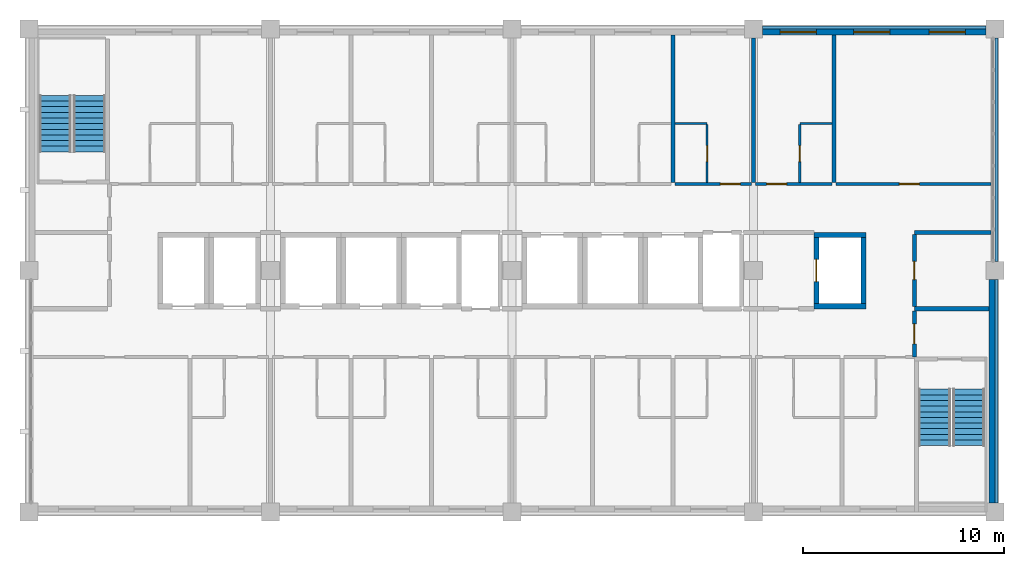
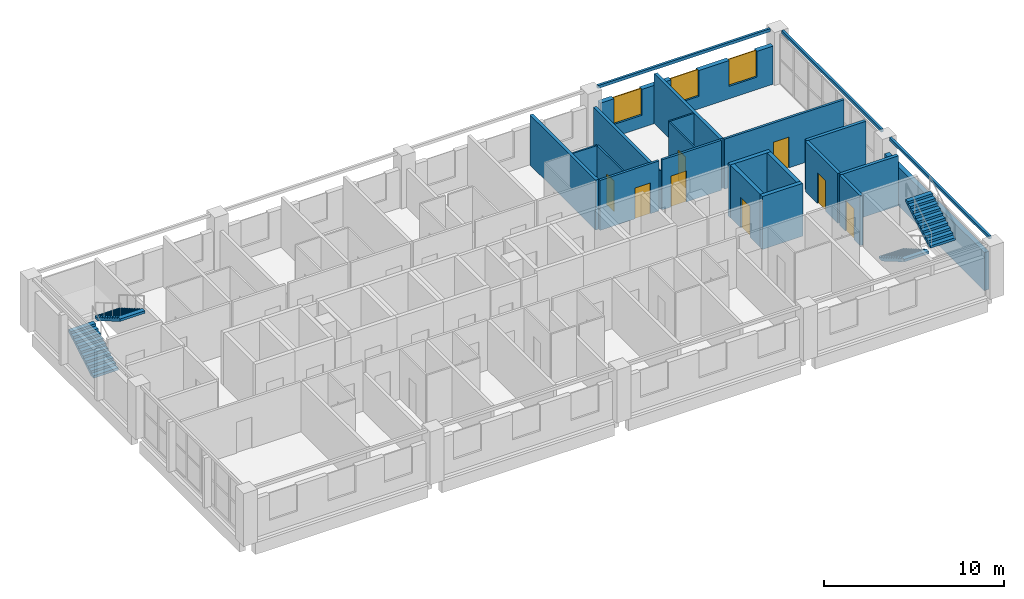
# One storey, part 10 of 11: 23 walls, 8 doors, 4 stair flights, 3 windows, 11 openings, 2 elements without a shape of their own.
"""IFC4 building model written with IfcOpenShell, lengths in metres."""

from ifc_helpers import new_model, si_unit, direction, frame, frame_2d, origin, place, context, subcontext, project, spatial, polyline, rectangle, outline, extrude, material, layer, layer_set, type_object, element, fill, aggregate, save


model = new_model("IFC4")

# Units and contexts
model_context = context("Model", 3, precision=1e-05, world=origin(), true_north=direction((0.0, 1.0)))
body_context = subcontext(model_context, "Body", "Model", "MODEL_VIEW")
ifc_project = project(units=[si_unit("LENGTHUNIT", "METRE"), si_unit("AREAUNIT", "SQUARE_METRE"), si_unit("VOLUMEUNIT", "CUBIC_METRE"), si_unit("PLANEANGLEUNIT", "RADIAN"), si_unit("MASSUNIT", "GRAM", prefix="KILO")], contexts=[model_context])

# Site, building, storey
site_placement = place(None, origin())
site = spatial("IfcSite", under=ifc_project, at=site_placement, CompositionType="ELEMENT")
building_placement = place(site_placement, origin())
building = spatial("IfcBuilding", under=site, at=building_placement, Name="Lilac Gate Convention Centre", CompositionType="ELEMENT")
storey_placement = place(building_placement, frame((0.0, 0.0, 28.199951171875)))
storey = spatial("IfcBuildingStorey", under=building, at=storey_placement, Name="L06", CompositionType="ELEMENT", Elevation=28.199951171875)

# Walls
ifc_material_1 = material(Name="Concrete C60", Category="concrete")
ifc_layer_1 = layer(ifc_material_1, 0.25)
ifc_layer_set_1 = layer_set([ifc_layer_1], Name="Concrete C60")
wall_type_1 = type_object("IfcWallType", Name="Core wall 250 C60", PredefinedType="SHEAR", material=ifc_layer_set_1)
for number, where, z_axis, x_axis, name in (
    (1, (81.0, 232.22509765625, 0.0), (0.0, 0.0, 1.0), (1.0, 0.0, 0.0), "CRW3 core wall TC L06 33"),
    (2, (81.0, 235.77490234375, 0.0), (0.0, 0.0, 1.0), (1.0, 0.0, 0.0), "CRW3 core wall TC L06 34"),
):
    element("IfcWall", number, at=place(storey_placement, frame(where, z_axis=z_axis, x_axis=x_axis)), inside=storey, type_object=wall_type_1, Name=name, PredefinedType="SHEAR", context=body_context, shape_type="SweptSolid", body=[
        extrude(rectangle(XDim=2.60009765625, YDim=0.25, at=frame_2d((1.300048828125, 0.0))), origin(), (0.0, 0.0, 1.0), 3.60009765625),
    ])

# Wall, opening, door
wall_1_placement = place(storey_placement, frame((81.125, 232.35009765625, 0.0), z_axis=(0.0, 0.0, 1.0), x_axis=(0.0, 1.0, 0.0)))
wall_1 = element("IfcWall", 3, at=wall_1_placement, inside=storey, type_object=wall_type_1, Name="CRW3 core wall TC L06 35", PredefinedType="SHEAR", context=body_context, shape_type="SweptSolid", body=[
    extrude(rectangle(XDim=3.2998046875, YDim=0.25, at=frame_2d((1.64990234375, 0.0))), origin(), (0.0, 0.0, 1.0), 3.60009765625),
])
opening_1_placement = place(wall_1_placement, frame((1.10009765625, 0.0, 0.0)))
opening_1 = element("IfcOpeningElement", 4, at=opening_1_placement, cuts=wall_1, Name="Opening T04-054", PredefinedType="OPENING", context=body_context, shape_type="SweptSolid", body=[
    extrude(rectangle(XDim=1.10009765625, YDim=2.10009765625, at=frame_2d((0.550048828125, 1.050048828125))), frame((0.0, 0.135009765625, 0.0), z_axis=(0.0, -1.0, 0.0), x_axis=(1.0, 0.0, 0.0)), (0.0, 0.0, 1.0), 0.27001953125),
])
ifc_material_2 = material(Name="Stainless steel 304", Category="steel")
door_type_1 = type_object("IfcDoorType", Name="Lift landing door 1100", OperationType="SLIDING_TO_LEFT", PredefinedType="DOOR", material=ifc_material_2)
door_1_placement = place(opening_1_placement, origin())
door_1 = element("IfcDoor", 5, at=door_1_placement, inside=storey, type_object=door_type_1, Name="Lift landing door TF1 L06", OperationType="SLIDING_TO_LEFT", OverallHeight=2.10009765625, OverallWidth=1.10009765625, PredefinedType="DOOR", context=body_context, shape_type="SweptSolid", body=[
    extrude(rectangle(XDim=1.10009765625, YDim=2.10009765625, at=frame_2d((0.550048828125, 1.050048828125))), frame((0.0, 0.02490234375, 0.0), z_axis=(0.0, -1.0, 0.0), x_axis=(1.0, 0.0, 0.0)), (0.0, 0.0, 1.0), 0.050048828125),
])
fill(opening_1, door_1)

# Wall
wall_2_placement = place(storey_placement, frame((83.47509765625, 232.35009765625, 0.0), z_axis=(0.0, 0.0, 1.0), x_axis=(0.0, 1.0, 0.0)))
element("IfcWall", 6, at=wall_2_placement, inside=storey, type_object=wall_type_1, Name="CRW3 core wall TC L06 36", PredefinedType="SHEAR", context=body_context, shape_type="SweptSolid", body=[
    extrude(rectangle(XDim=3.2998046875, YDim=0.25, at=frame_2d((1.64990234375, 0.0))), origin(), (0.0, 0.0, 1.0), 3.60009765625),
])

# Wall, opening, door
ifc_material_3 = material(Name="Gypsum board on steel stud", Category="steel")
ifc_layer_2 = layer(ifc_material_3, 0.14990234375)
ifc_layer_set_2 = layer_set([ifc_layer_2], Name="Gypsum board on steel stud")
wall_type_2 = type_object("IfcWallType", Name="Corridor wall 150", PredefinedType="PARTITIONING", material=ifc_layer_set_2)
wall_3_placement = place(storey_placement, frame((74.10009765625, 238.300048828125, 0.0), z_axis=(0.0, 0.0, 1.0), x_axis=(1.0, 0.0, 0.0)))
wall_3 = element("IfcWall", 7, at=wall_3_placement, inside=storey, type_object=wall_type_2, Name="Corridor wall 150 front 0618", PredefinedType="PARTITIONING", context=body_context, shape_type="SweptSolid", body=[
    extrude(rectangle(XDim=3.7998046875, YDim=0.14990234375, at=frame_2d((1.89990234375, 0.0))), origin(), (0.0, 0.0, 1.0), 3.400146484375),
])
opening_2_placement = place(wall_3_placement, frame((2.25, 0.0, 0.0)))
opening_2 = element("IfcOpeningElement", 8, at=opening_2_placement, cuts=wall_3, Name="Opening T04-041", PredefinedType="OPENING", context=body_context, shape_type="SweptSolid", body=[
    extrude(rectangle(XDim=1.0, YDim=2.10009765625, at=frame_2d((0.5, 1.050048828125))), frame((0.0, 0.0849609375, 0.0), z_axis=(0.0, -1.0, 0.0), x_axis=(1.0, 0.0, 0.0)), (0.0, 0.0, 1.0), 0.169921875),
])
ifc_material_4 = material(Name="Timber", Category="wood")
door_type_2 = type_object("IfcDoorType", Name="Guest room entrance door 1000", OperationType="SINGLE_SWING_LEFT", PredefinedType="DOOR", material=ifc_material_4)
door_2_placement = place(opening_2_placement, origin())
door_2 = element("IfcDoor", 9, at=door_2_placement, inside=storey, type_object=door_type_2, Name="Guest room door 0618", OperationType="SINGLE_SWING_LEFT", OverallHeight=2.10009765625, OverallWidth=1.0, PredefinedType="DOOR", context=body_context, shape_type="SweptSolid", body=[
    extrude(rectangle(XDim=1.0, YDim=2.10009765625, at=frame_2d((0.5, 1.050048828125))), frame((0.0, 0.02490234375, 0.0), z_axis=(0.0, -1.0, 0.0), x_axis=(1.0, 0.0, 0.0)), (0.0, 0.0, 1.0), 0.050048828125),
])
fill(opening_2, door_2)

wall_4_placement = place(storey_placement, frame((78.10009765625, 238.300048828125, 0.0), z_axis=(0.0, 0.0, 1.0), x_axis=(1.0, 0.0, 0.0)))
wall_4 = element("IfcWall", 10, at=wall_4_placement, inside=storey, type_object=wall_type_2, Name="Corridor wall 150 front 0619", PredefinedType="PARTITIONING", context=body_context, shape_type="SweptSolid", body=[
    extrude(rectangle(XDim=3.7998046875, YDim=0.14990234375, at=frame_2d((1.89990234375, 0.0))), origin(), (0.0, 0.0, 1.0), 3.400146484375),
])
opening_3_placement = place(wall_4_placement, frame((0.550048828125, 0.0, 0.0)))
opening_3 = element("IfcOpeningElement", 11, at=opening_3_placement, cuts=wall_4, Name="Opening T04-043", PredefinedType="OPENING", context=body_context, shape_type="SweptSolid", body=[
    extrude(rectangle(XDim=1.0, YDim=2.10009765625, at=frame_2d((0.5, 1.050048828125))), frame((0.0, 0.0849609375, 0.0), z_axis=(0.0, -1.0, 0.0), x_axis=(1.0, 0.0, 0.0)), (0.0, 0.0, 1.0), 0.169921875),
])
door_3_placement = place(opening_3_placement, origin())
door_3 = element("IfcDoor", 12, at=door_3_placement, inside=storey, type_object=door_type_2, Name="Guest room door 0619", OperationType="SINGLE_SWING_LEFT", OverallHeight=2.10009765625, OverallWidth=1.0, PredefinedType="DOOR", context=body_context, shape_type="SweptSolid", body=[
    extrude(rectangle(XDim=1.0, YDim=2.10009765625, at=frame_2d((0.5, 1.050048828125))), frame((0.0, 0.02490234375, 0.0), z_axis=(0.0, -1.0, 0.0), x_axis=(1.0, 0.0, 0.0)), (0.0, 0.0, 1.0), 0.050048828125),
])
fill(opening_3, door_3)

wall_5_placement = place(storey_placement, frame((82.10009765625, 238.300048828125, 0.0), z_axis=(0.0, 0.0, 1.0), x_axis=(1.0, 0.0, 0.0)))
wall_5 = element("IfcWall", 13, at=wall_5_placement, inside=storey, type_object=wall_type_2, Name="Corridor wall 150 front 0620", PredefinedType="PARTITIONING", context=body_context, shape_type="SweptSolid", body=[
    extrude(rectangle(XDim=7.69970703125, YDim=0.14990234375, at=frame_2d((3.849853515625, 0.0))), origin(), (0.0, 0.0, 1.0), 3.400146484375),
])
opening_4_placement = place(wall_5_placement, frame((3.14990234375, 0.0, 0.0)))
opening_4 = element("IfcOpeningElement", 14, at=opening_4_placement, cuts=wall_5, Name="Opening T04-045", PredefinedType="OPENING", context=body_context, shape_type="SweptSolid", body=[
    extrude(rectangle(XDim=1.0, YDim=2.10009765625, at=frame_2d((0.5, 1.050048828125))), frame((0.0, 0.0849609375, 0.0), z_axis=(0.0, -1.0, 0.0), x_axis=(1.0, 0.0, 0.0)), (0.0, 0.0, 1.0), 0.169921875),
])
door_type_3 = type_object("IfcDoorType", Name="Room door 1000", OperationType="SINGLE_SWING_LEFT", PredefinedType="DOOR", material=ifc_material_4)
door_4_placement = place(opening_4_placement, origin())
door_4 = element("IfcDoor", 15, at=door_4_placement, inside=storey, type_object=door_type_3, Name="Business Centre door", OperationType="SINGLE_SWING_LEFT", OverallHeight=2.10009765625, OverallWidth=1.0, PredefinedType="DOOR", context=body_context, shape_type="SweptSolid", body=[
    extrude(rectangle(XDim=1.0, YDim=2.10009765625, at=frame_2d((0.5, 1.050048828125))), frame((0.0, 0.02490234375, 0.0), z_axis=(0.0, -1.0, 0.0), x_axis=(1.0, 0.0, 0.0)), (0.0, 0.0, 1.0), 0.050048828125),
])
fill(opening_4, door_4)

# Wall
ifc_layer_3 = layer(ifc_material_3, 0.10009765625)
ifc_layer_set_3 = layer_set([ifc_layer_3], Name="Gypsum board on steel stud")
wall_type_3 = type_object("IfcWallType", Name="En-suite wall 100", PredefinedType="PARTITIONING", material=ifc_layer_set_3)
wall_6_placement = place(storey_placement, frame((74.10009765625, 241.300048828125, 0.0), z_axis=(0.0, 0.0, 1.0), x_axis=(1.0, 0.0, 0.0)))
element("IfcWall", 16, at=wall_6_placement, inside=storey, type_object=wall_type_3, Name="En-suite wall 100 bath 0618", PredefinedType="PARTITIONING", context=body_context, shape_type="SweptSolid", body=[
    extrude(rectangle(XDim=1.599853515625, YDim=0.10009765625, at=frame_2d((0.7998046875, 0.0))), origin(), (0.0, 0.0, 1.0), 3.400146484375),
])

# Wall, opening, door
wall_7_placement = place(storey_placement, frame((75.699951171875, 241.25, 0.0), z_axis=(0.0, 0.0, 1.0), x_axis=(0.0, -1.0, 0.0)))
wall_7 = element("IfcWall", 17, at=wall_7_placement, inside=storey, type_object=wall_type_3, Name="En-suite wall 100 bath side 0618", PredefinedType="PARTITIONING", context=body_context, shape_type="SweptSolid", body=[
    extrude(rectangle(XDim=2.875, YDim=0.10009765625, at=frame_2d((1.4375, 0.0))), origin(), (0.0, 0.0, 1.0), 3.400146484375),
])
opening_5_placement = place(wall_7_placement, frame((1.03759765625, 0.0, 0.0)))
opening_5 = element("IfcOpeningElement", 18, at=opening_5_placement, cuts=wall_7, Name="Opening T04-042", PredefinedType="OPENING", context=body_context, shape_type="SweptSolid", body=[
    extrude(rectangle(XDim=0.800048828125, YDim=2.10009765625, at=frame_2d((0.39990234375, 1.050048828125))), frame((0.0, 0.06005859375, 0.0), z_axis=(0.0, -1.0, 0.0), x_axis=(1.0, 0.0, 0.0)), (0.0, 0.0, 1.0), 0.1201171875),
])
door_type_4 = type_object("IfcDoorType", Name="En-suite door 800", OperationType="SINGLE_SWING_LEFT", PredefinedType="DOOR", material=ifc_material_4)
door_5_placement = place(opening_5_placement, origin())
door_5 = element("IfcDoor", 19, at=door_5_placement, inside=storey, type_object=door_type_4, Name="En-suite door 0618", OperationType="SINGLE_SWING_RIGHT", OverallHeight=2.10009765625, OverallWidth=0.800048828125, PredefinedType="DOOR", context=body_context, shape_type="SweptSolid", body=[
    extrude(rectangle(XDim=0.800048828125, YDim=2.10009765625, at=frame_2d((0.39990234375, 1.050048828125))), frame((0.0, 0.02490234375, 0.0), z_axis=(0.0, -1.0, 0.0), x_axis=(1.0, 0.0, 0.0)), (0.0, 0.0, 1.0), 0.050048828125),
])
fill(opening_5, door_5)

# Wall
wall_8_placement = place(storey_placement, frame((80.300048828125, 241.300048828125, 0.0), z_axis=(0.0, 0.0, 1.0), x_axis=(1.0, 0.0, 0.0)))
element("IfcWall", 20, at=wall_8_placement, inside=storey, type_object=wall_type_3, Name="En-suite wall 100 bath 0619", PredefinedType="PARTITIONING", context=body_context, shape_type="SweptSolid", body=[
    extrude(rectangle(XDim=1.599853515625, YDim=0.10009765625, at=frame_2d((0.7998046875, 0.0))), origin(), (0.0, 0.0, 1.0), 3.400146484375),
])

# Wall, opening, door
wall_9_placement = place(storey_placement, frame((80.300048828125, 238.375, 0.0), z_axis=(0.0, 0.0, 1.0), x_axis=(0.0, 1.0, 0.0)))
wall_9 = element("IfcWall", 21, at=wall_9_placement, inside=storey, type_object=wall_type_3, Name="En-suite wall 100 bath side 0619", PredefinedType="PARTITIONING", context=body_context, shape_type="SweptSolid", body=[
    extrude(rectangle(XDim=2.875, YDim=0.10009765625, at=frame_2d((1.4375, 0.0))), origin(), (0.0, 0.0, 1.0), 3.400146484375),
])
opening_6_placement = place(wall_9_placement, frame((1.03759765625, 0.0, 0.0)))
opening_6 = element("IfcOpeningElement", 22, at=opening_6_placement, cuts=wall_9, Name="Opening T04-044", PredefinedType="OPENING", context=body_context, shape_type="SweptSolid", body=[
    extrude(rectangle(XDim=0.800048828125, YDim=2.10009765625, at=frame_2d((0.39990234375, 1.050048828125))), frame((0.0, 0.06005859375, 0.0), z_axis=(0.0, -1.0, 0.0), x_axis=(1.0, 0.0, 0.0)), (0.0, 0.0, 1.0), 0.1201171875),
])
door_6_placement = place(opening_6_placement, origin())
door_6 = element("IfcDoor", 23, at=door_6_placement, inside=storey, type_object=door_type_4, Name="En-suite door 0619", OperationType="SINGLE_SWING_LEFT", OverallHeight=2.10009765625, OverallWidth=0.800048828125, PredefinedType="DOOR", context=body_context, shape_type="SweptSolid", body=[
    extrude(rectangle(XDim=0.800048828125, YDim=2.10009765625, at=frame_2d((0.39990234375, 1.050048828125))), frame((0.0, 0.02490234375, 0.0), z_axis=(0.0, -1.0, 0.0), x_axis=(1.0, 0.0, 0.0)), (0.0, 0.0, 1.0), 0.050048828125),
])
fill(opening_6, door_6)

# Walls
ifc_layer_4 = layer(ifc_material_3, 0.199951171875)
ifc_layer_set_4 = layer_set([ifc_layer_4], Name="Gypsum board on steel stud")
wall_type_4 = type_object("IfcWallType", Name="Guest room party wall 200", PredefinedType="PARTITIONING", material=ifc_layer_set_4)
wall_10_placement = place(storey_placement, frame((74.0, 245.7001953125, 0.0), z_axis=(0.0, 0.0, 1.0), x_axis=(0.0, -1.0, 0.0)))
element("IfcWall", 24, at=wall_10_placement, inside=storey, type_object=wall_type_4, Name="Guest room party wall 200 party 74.0", PredefinedType="PARTITIONING", context=body_context, shape_type="SweptSolid", body=[
    extrude(rectangle(XDim=7.3251953125, YDim=0.199951171875, at=frame_2d((3.66259765625, 0.0))), origin(), (0.0, 0.0, 1.0), 3.400146484375),
])
wall_11_placement = place(storey_placement, frame((78.0, 245.550048828125, 0.0), z_axis=(0.0, 0.0, 1.0), x_axis=(0.0, -1.0, 0.0)))
element("IfcWall", 25, at=wall_11_placement, inside=storey, type_object=wall_type_4, Name="Guest room party wall 200 party 78.0", PredefinedType="PARTITIONING", context=body_context, shape_type="SweptSolid", body=[
    extrude(rectangle(XDim=7.175048828125, YDim=0.199951171875, at=frame_2d((3.58740234375, 0.0))), origin(), (0.0, 0.0, 1.0), 2.60009765625),
])
wall_12_placement = place(storey_placement, frame((82.0, 245.7001953125, 0.0), z_axis=(0.0, 0.0, 1.0), x_axis=(0.0, -1.0, 0.0)))
element("IfcWall", 26, at=wall_12_placement, inside=storey, type_object=wall_type_4, Name="Guest room party wall 200 party 82.0", PredefinedType="PARTITIONING", context=body_context, shape_type="SweptSolid", body=[
    extrude(rectangle(XDim=7.3251953125, YDim=0.199951171875, at=frame_2d((3.66259765625, 0.0))), origin(), (0.0, 0.0, 1.0), 3.400146484375),
])
ifc_layer_5 = layer(ifc_material_3, 0.199951171875)
ifc_layer_set_5 = layer_set([ifc_layer_5], Name="Gypsum board on steel stud")
wall_type_5 = type_object("IfcWallType", Name="Lobby wall 200", PredefinedType="PARTITIONING", material=ifc_layer_set_5)
wall_13_placement = place(storey_placement, frame((86.0, 232.10009765625, 0.0), z_axis=(0.0, 0.0, 1.0), x_axis=(1.0, 0.0, 0.0)))
element("IfcWall", 27, at=wall_13_placement, inside=storey, type_object=wall_type_5, Name="Lobby wall 200 STL-N", PredefinedType="PARTITIONING", context=body_context, shape_type="SweptSolid", body=[
    extrude(rectangle(XDim=3.7001953125, YDim=0.199951171875, at=frame_2d((1.85009765625, 0.0))), origin(), (0.0, 0.0, 1.0), 3.400146484375),
])

# Wall, opening, door
wall_14_placement = place(storey_placement, frame((86.0, 232.0, 0.0), z_axis=(0.0, 0.0, 1.0), x_axis=(0.0, -1.0, 0.0)))
wall_14 = element("IfcWall", 28, at=wall_14_placement, inside=storey, type_object=wall_type_5, Name="Lobby wall 200 STL-SE-W", PredefinedType="PARTITIONING", context=body_context, shape_type="SweptSolid", body=[
    extrude(rectangle(XDim=2.300048828125, YDim=0.199951171875, at=frame_2d((1.14990234375, 0.0))), origin(), (0.0, 0.0, 1.0), 3.400146484375),
])
opening_7_placement = place(wall_14_placement, frame((0.64990234375, 0.0, 0.0)))
opening_7 = element("IfcOpeningElement", 29, at=opening_7_placement, cuts=wall_14, Name="Opening T04-007", PredefinedType="OPENING", context=body_context, shape_type="SweptSolid", body=[
    extrude(rectangle(XDim=1.0, YDim=2.10009765625, at=frame_2d((0.5, 1.050048828125))), frame((0.0, 0.10986328125, 0.0), z_axis=(0.0, -1.0, 0.0), x_axis=(1.0, 0.0, 0.0)), (0.0, 0.0, 1.0), 0.219970703125),
])
ifc_material_5 = material(Name="Steel Q235B", Category="steel")
door_type_5 = type_object("IfcDoorType", Name="Lobby door 1000", OperationType="SINGLE_SWING_LEFT", PredefinedType="DOOR", material=ifc_material_5)
door_7_placement = place(opening_7_placement, origin())
door_7 = element("IfcDoor", 30, at=door_7_placement, inside=storey, type_object=door_type_5, Name="Stair lobby door SE", OperationType="SINGLE_SWING_LEFT", OverallHeight=2.10009765625, OverallWidth=1.0, PredefinedType="DOOR", context=body_context, shape_type="SweptSolid", body=[
    extrude(rectangle(XDim=1.0, YDim=2.10009765625, at=frame_2d((0.5, 1.050048828125))), frame((0.0, 0.02490234375, 0.0), z_axis=(0.0, -1.0, 0.0), x_axis=(1.0, 0.0, 0.0)), (0.0, 0.0, 1.0), 0.050048828125),
])
fill(opening_7, door_7)

# Walls
ifc_material_6 = material(Name="Concrete C40 precast", Category="concrete")
ifc_layer_6 = layer(ifc_material_6, 0.1298828125)
ifc_material_7 = material(Name="Ochre mineral render")
ifc_layer_7 = layer(ifc_material_7, 0.02001953125)
ifc_layer_set_6 = layer_set([ifc_layer_6, ifc_layer_7], Name="Concrete C40 precast, Ochre mineral render")
wall_type_6 = type_object("IfcWallType", Name="Precast band ochre 150", PredefinedType="STANDARD", material=ifc_layer_set_6)
for number, where, z_axis, x_axis, name in (
    (31, (90.074951171875, 222.449951171875, 3.400146484375), (0.0, 0.0, 1.0), (0.0, 1.0, 0.0), "Precast band E L06 1"),
    (32, (90.074951171875, 234.449951171875, 3.400146484375), (0.0, 0.0, 1.0), (0.0, 1.0, 0.0), "Precast band E L06 2"),
    (33, (89.550048828125, 246.074951171875, 3.400146484375), (0.0, 0.0, 1.0), (-1.0, 0.0, 0.0), "Precast band N L06 1"),
):
    element("IfcWall", number, at=place(storey_placement, frame(where, z_axis=z_axis, x_axis=x_axis)), inside=storey, type_object=wall_type_6, Name=name, PredefinedType="STANDARD", context=body_context, shape_type="SweptSolid", body=[
        extrude(rectangle(XDim=11.10009765625, YDim=0.14990234375, at=frame_2d((5.550048828125, 0.0))), origin(), (0.0, 0.0, 1.0), 0.199951171875),
    ])
ifc_layer_8 = layer(ifc_material_7, 0.02001953125)
ifc_layer_9 = layer(ifc_material_6, 0.06005859375)
ifc_material_8 = material(Name="Ventilated air cavity")
ifc_layer_10 = layer(ifc_material_8, 0.030029296875)
ifc_material_9 = material(Name="Mineral wool insulation")
ifc_layer_11 = layer(ifc_material_9, 0.1201171875)
ifc_material_10 = material(Name="Steel stud Q345 and gypsum lining", Category="steel")
ifc_layer_12 = layer(ifc_material_10, 0.070068359375)
ifc_layer_set_7 = layer_set([ifc_layer_8, ifc_layer_9, ifc_layer_10, ifc_layer_11, ifc_layer_12], Name="Ochre mineral render, Concrete C40 precast, Ventilated air cavity, Mineral wool insulation, Steel stud Q345 and gypsum lining")
wall_type_7 = type_object("IfcWallType", Name="Precast panel wall ochre 300", PredefinedType="STANDARD", material=ifc_layer_set_7)
wall_15_placement = place(storey_placement, frame((89.85009765625, 222.449951171875, 0.0), z_axis=(0.0, 0.0, 1.0), x_axis=(0.0, 1.0, 0.0)))
element("IfcWall", 34, at=wall_15_placement, inside=storey, type_object=wall_type_7, Name="External wall E L06 1", PredefinedType="STANDARD", context=body_context, shape_type="SweptSolid", body=[
    extrude(rectangle(XDim=11.10009765625, YDim=0.300048828125, at=frame_2d((5.550048828125, 0.0))), origin(), (0.0, 0.0, 1.0), 2.60009765625),
])

# Wall, openings, windows
wall_16_placement = place(storey_placement, frame((89.550048828125, 245.85009765625, 0.0), z_axis=(0.0, 0.0, 1.0), x_axis=(-1.0, 0.0, 0.0)))
wall_16 = element("IfcWall", 35, at=wall_16_placement, inside=storey, type_object=wall_type_7, Name="External wall N L06 1", PredefinedType="STANDARD", context=body_context, shape_type="SweptSolid", body=[
    extrude(rectangle(XDim=11.10009765625, YDim=0.300048828125, at=frame_2d((5.550048828125, 0.0))), origin(), (0.0, 0.0, 1.0), 2.60009765625),
])
opening_8_placement = place(wall_16_placement, frame((8.425048828125, 0.0, 0.85009765625)))
opening_8 = element("IfcOpeningElement", 36, at=opening_8_placement, cuts=wall_16, Name="Opening W1", PredefinedType="OPENING", context=body_context, shape_type="SweptSolid", body=[
    extrude(rectangle(XDim=1.800048828125, YDim=1.75, at=frame_2d((0.89990234375, 0.875))), frame((0.0, 0.159912109375, 0.0), z_axis=(0.0, -1.0, 0.0), x_axis=(1.0, 0.0, 0.0)), (0.0, 0.0, 1.0), 0.320068359375),
])
opening_9_placement = place(wall_16_placement, frame((1.02490234375, 0.0, 0.85009765625)))
opening_9 = element("IfcOpeningElement", 37, at=opening_9_placement, cuts=wall_16, Name="Opening W1", PredefinedType="OPENING", context=body_context, shape_type="SweptSolid", body=[
    extrude(rectangle(XDim=1.800048828125, YDim=1.75, at=frame_2d((0.89990234375, 0.875))), frame((0.0, 0.159912109375, 0.0), z_axis=(0.0, -1.0, 0.0), x_axis=(1.0, 0.0, 0.0)), (0.0, 0.0, 1.0), 0.320068359375),
])
opening_10_placement = place(wall_16_placement, frame((4.77490234375, 0.0, 0.85009765625)))
opening_10 = element("IfcOpeningElement", 38, at=opening_10_placement, cuts=wall_16, Name="Opening W1", PredefinedType="OPENING", context=body_context, shape_type="SweptSolid", body=[
    extrude(rectangle(XDim=1.800048828125, YDim=1.75, at=frame_2d((0.89990234375, 0.875))), frame((0.0, 0.159912109375, 0.0), z_axis=(0.0, -1.0, 0.0), x_axis=(1.0, 0.0, 0.0)), (0.0, 0.0, 1.0), 0.320068359375),
])
ifc_material_11 = material(Name="Aluminium framed double glazing", Category="aluminium")
window_type = type_object("IfcWindowType", Name="Guest room window 1800 x 1750", PartitioningType="DOUBLE_PANEL_VERTICAL", PredefinedType="WINDOW", material=ifc_material_11)
window_1_placement = place(opening_8_placement, origin())
window_1 = element("IfcWindow", 39, at=window_1_placement, inside=storey, type_object=window_type, Name="Window Guest N L06", OverallHeight=1.75, OverallWidth=1.800048828125, PartitioningType="SINGLE_PANEL", PredefinedType="WINDOW", context=body_context, shape_type="SweptSolid", body=[
    extrude(rectangle(XDim=1.800048828125, YDim=1.75, at=frame_2d((0.89990234375, 0.875))), frame((0.0, 0.030029296875, 0.0), z_axis=(0.0, -1.0, 0.0), x_axis=(1.0, 0.0, 0.0)), (0.0, 0.0, 1.0), 0.06005859375),
])
fill(opening_8, window_1)
window_2_placement = place(opening_9_placement, origin())
window_2 = element("IfcWindow", 40, at=window_2_placement, inside=storey, type_object=window_type, Name="Window Guest N L06", OverallHeight=1.75, OverallWidth=1.800048828125, PartitioningType="SINGLE_PANEL", PredefinedType="WINDOW", context=body_context, shape_type="SweptSolid", body=[
    extrude(rectangle(XDim=1.800048828125, YDim=1.75, at=frame_2d((0.89990234375, 0.875))), frame((0.0, 0.030029296875, 0.0), z_axis=(0.0, -1.0, 0.0), x_axis=(1.0, 0.0, 0.0)), (0.0, 0.0, 1.0), 0.06005859375),
])
fill(opening_9, window_2)
window_3_placement = place(opening_10_placement, origin())
window_3 = element("IfcWindow", 41, at=window_3_placement, inside=storey, type_object=window_type, Name="Window Guest N L06", OverallHeight=1.75, OverallWidth=1.800048828125, PartitioningType="SINGLE_PANEL", PredefinedType="WINDOW", context=body_context, shape_type="SweptSolid", body=[
    extrude(rectangle(XDim=1.800048828125, YDim=1.75, at=frame_2d((0.89990234375, 0.875))), frame((0.0, 0.030029296875, 0.0), z_axis=(0.0, -1.0, 0.0), x_axis=(1.0, 0.0, 0.0)), (0.0, 0.0, 1.0), 0.06005859375),
])
fill(opening_10, window_3)

# Wall
ifc_layer_13 = layer(ifc_material_3, 0.199951171875)
ifc_layer_set_8 = layer_set([ifc_layer_13], Name="Gypsum board on steel stud")
wall_type_8 = type_object("IfcWallType", Name="Riser and store wall 200", PredefinedType="PARTITIONING", material=ifc_layer_set_8)
wall_17_placement = place(storey_placement, frame((86.0, 235.89990234375, 0.0), z_axis=(0.0, 0.0, 1.0), x_axis=(1.0, 0.0, 0.0)))
element("IfcWall", 42, at=wall_17_placement, inside=storey, type_object=wall_type_8, Name="Riser and store wall 200 STE-N", PredefinedType="PARTITIONING", context=body_context, shape_type="SweptSolid", body=[
    extrude(rectangle(XDim=3.7998046875, YDim=0.199951171875, at=frame_2d((1.89990234375, 0.0))), origin(), (0.0, 0.0, 1.0), 3.400146484375),
])

# Wall, opening, door
wall_18_placement = place(storey_placement, frame((86.0, 235.800048828125, 0.0), z_axis=(0.0, 0.0, 1.0), x_axis=(0.0, -1.0, 0.0)))
wall_18 = element("IfcWall", 43, at=wall_18_placement, inside=storey, type_object=wall_type_8, Name="Riser and store wall 200 STE-W", PredefinedType="PARTITIONING", context=body_context, shape_type="SweptSolid", body=[
    extrude(rectangle(XDim=3.60009765625, YDim=0.199951171875, at=frame_2d((1.800048828125, 0.0))), origin(), (0.0, 0.0, 1.0), 3.400146484375),
])
opening_11_placement = place(wall_18_placement, frame((1.35009765625, 0.0, 0.0)))
opening_11 = element("IfcOpeningElement", 44, at=opening_11_placement, cuts=wall_18, Name="Opening T04-005", PredefinedType="OPENING", context=body_context, shape_type="SweptSolid", body=[
    extrude(rectangle(XDim=0.89990234375, YDim=2.10009765625, at=frame_2d((0.449951171875, 1.050048828125))), frame((0.0, 0.10986328125, 0.0), z_axis=(0.0, -1.0, 0.0), x_axis=(1.0, 0.0, 0.0)), (0.0, 0.0, 1.0), 0.219970703125),
])
door_type_6 = type_object("IfcDoorType", Name="Riser and store door 900", OperationType="SINGLE_SWING_LEFT", PredefinedType="DOOR", material=ifc_material_5)
door_8_placement = place(opening_11_placement, origin())
door_8 = element("IfcDoor", 45, at=door_8_placement, inside=storey, type_object=door_type_6, Name="Linen store door", OperationType="SINGLE_SWING_LEFT", OverallHeight=2.10009765625, OverallWidth=0.89990234375, PredefinedType="DOOR", context=body_context, shape_type="SweptSolid", body=[
    extrude(rectangle(XDim=0.89990234375, YDim=2.10009765625, at=frame_2d((0.449951171875, 1.050048828125))), frame((0.0, 0.02490234375, 0.0), z_axis=(0.0, -1.0, 0.0), x_axis=(1.0, 0.0, 0.0)), (0.0, 0.0, 1.0), 0.050048828125),
])
fill(opening_11, door_8)

# Stair, stair flights
ifc_material_12 = material(Name="Concrete C40", Category="concrete")
stair_type = type_object("IfcStairType", Name="Exit stair", PredefinedType="DOUBLE_RETURN_STAIR", material=ifc_material_12)
stair_1_placement = place(storey_placement, origin())
stair_1 = element("IfcStair", 46, at=stair_1_placement, inside=storey, type_object=stair_type, Name="Exit stair NW L06", PredefinedType="DOUBLE_RETURN_STAIR")
stair_flight_type = type_object("IfcStairFlightType", Name="Exit stair flight", PredefinedType="STRAIGHT", material=ifc_material_12)
stair_flight_1_placement = place(storey_placement, frame((43.300048828125, 239.89990234375, 0.0), z_axis=(0.0, 0.0, 1.0), x_axis=(0.0, 1.0, 0.0)))
stair_flight_1 = element("IfcStairFlight", 47, at=stair_flight_1_placement, type_object=stair_flight_type, Name="ST-NW flight 1", NumberOfRisers=11, NumberOfTreads=10, PredefinedType="STRAIGHT", RiserHeight=0.163636364, TreadLength=0.28, context=body_context, shape_type="SweptSolid", body=[
    extrude(outline(polyline([(0.0, 0.0), (0.0, 0.16357421875), (0.280029296875, 0.16357421875), (0.280029296875, 0.327392578125), (0.56005859375, 0.327392578125), (0.56005859375, 0.490966796875), (0.840087890625, 0.490966796875), (0.840087890625, 0.654541015625), (1.1201171875, 0.654541015625), (1.1201171875, 0.818115234375), (1.39990234375, 0.818115234375), (1.39990234375, 0.98193359375), (1.679931640625, 0.98193359375), (1.679931640625, 1.1455078125), (1.9599609375, 1.1455078125), (1.9599609375, 1.30908203125), (2.239990234375, 1.30908203125), (2.239990234375, 1.47265625), (2.52001953125, 1.47265625), (2.52001953125, 1.636474609375), (2.800048828125, 1.636474609375), (2.800048828125, 1.800048828125), (2.800048828125, 1.462646484375), (0.297119140625, 0.0), (0.0, 0.0)])), frame((0.0, 0.800048828125, 0.0), z_axis=(0.0, -1.0, 0.0), x_axis=(1.0, 0.0, 0.0)), (0.0, 0.0, 1.0), 1.60009765625),
])
stair_flight_2_placement = place(storey_placement, frame((45.0, 242.699951171875, 1.800048828125), z_axis=(0.0, 0.0, 1.0), x_axis=(0.0, -1.0, 0.0)))
stair_flight_2 = element("IfcStairFlight", 48, at=stair_flight_2_placement, type_object=stair_flight_type, Name="ST-NW flight 2", NumberOfRisers=11, NumberOfTreads=10, PredefinedType="STRAIGHT", RiserHeight=0.163636364, TreadLength=0.28, context=body_context, shape_type="SweptSolid", body=[
    extrude(outline(polyline([(0.0, 0.0), (0.0, 0.16357421875), (0.280029296875, 0.16357421875), (0.280029296875, 0.327392578125), (0.56005859375, 0.327392578125), (0.56005859375, 0.490966796875), (0.840087890625, 0.490966796875), (0.840087890625, 0.654541015625), (1.1201171875, 0.654541015625), (1.1201171875, 0.818115234375), (1.39990234375, 0.818115234375), (1.39990234375, 0.98193359375), (1.679931640625, 0.98193359375), (1.679931640625, 1.1455078125), (1.9599609375, 1.1455078125), (1.9599609375, 1.30908203125), (2.239990234375, 1.30908203125), (2.239990234375, 1.47265625), (2.52001953125, 1.47265625), (2.52001953125, 1.636474609375), (2.800048828125, 1.636474609375), (2.800048828125, 1.800048828125), (2.800048828125, 1.462646484375), (0.297119140625, 0.0), (0.0, 0.0)])), frame((0.0, 0.800048828125, 0.0), z_axis=(0.0, -1.0, 0.0), x_axis=(1.0, 0.0, 0.0)), (0.0, 0.0, 1.0), 1.60009765625),
])
aggregate(stair_1, [stair_flight_1, stair_flight_2])

stair_2_placement = place(storey_placement, origin())
stair_2 = element("IfcStair", 49, at=stair_2_placement, inside=storey, type_object=stair_type, Name="Exit stair SE L06", PredefinedType="DOUBLE_RETURN_STAIR")
stair_flight_3_placement = place(storey_placement, frame((87.0, 228.10009765625, 0.0), z_axis=(0.0, 0.0, 1.0), x_axis=(0.0, -1.0, 0.0)))
stair_flight_3 = element("IfcStairFlight", 50, at=stair_flight_3_placement, type_object=stair_flight_type, Name="ST-SE flight 1", NumberOfRisers=11, NumberOfTreads=10, PredefinedType="STRAIGHT", RiserHeight=0.163636364, TreadLength=0.28, context=body_context, shape_type="SweptSolid", body=[
    extrude(outline(polyline([(0.0, 0.0), (0.0, 0.16357421875), (0.280029296875, 0.16357421875), (0.280029296875, 0.327392578125), (0.56005859375, 0.327392578125), (0.56005859375, 0.490966796875), (0.840087890625, 0.490966796875), (0.840087890625, 0.654541015625), (1.1201171875, 0.654541015625), (1.1201171875, 0.818115234375), (1.39990234375, 0.818115234375), (1.39990234375, 0.98193359375), (1.679931640625, 0.98193359375), (1.679931640625, 1.1455078125), (1.9599609375, 1.1455078125), (1.9599609375, 1.30908203125), (2.239990234375, 1.30908203125), (2.239990234375, 1.47265625), (2.52001953125, 1.47265625), (2.52001953125, 1.636474609375), (2.800048828125, 1.636474609375), (2.800048828125, 1.800048828125), (2.800048828125, 1.462646484375), (0.297119140625, 0.0), (0.0, 0.0)])), frame((0.0, 0.800048828125, 0.0), z_axis=(0.0, -1.0, 0.0), x_axis=(1.0, 0.0, 0.0)), (0.0, 0.0, 1.0), 1.60009765625),
])
stair_flight_4_placement = place(storey_placement, frame((88.699951171875, 225.300048828125, 1.800048828125), z_axis=(0.0, 0.0, 1.0), x_axis=(0.0, 1.0, 0.0)))
stair_flight_4 = element("IfcStairFlight", 51, at=stair_flight_4_placement, type_object=stair_flight_type, Name="ST-SE flight 2", NumberOfRisers=11, NumberOfTreads=10, PredefinedType="STRAIGHT", RiserHeight=0.163636364, TreadLength=0.28, context=body_context, shape_type="SweptSolid", body=[
    extrude(outline(polyline([(0.0, 0.0), (0.0, 0.16357421875), (0.280029296875, 0.16357421875), (0.280029296875, 0.327392578125), (0.56005859375, 0.327392578125), (0.56005859375, 0.490966796875), (0.840087890625, 0.490966796875), (0.840087890625, 0.654541015625), (1.1201171875, 0.654541015625), (1.1201171875, 0.818115234375), (1.39990234375, 0.818115234375), (1.39990234375, 0.98193359375), (1.679931640625, 0.98193359375), (1.679931640625, 1.1455078125), (1.9599609375, 1.1455078125), (1.9599609375, 1.30908203125), (2.239990234375, 1.30908203125), (2.239990234375, 1.47265625), (2.52001953125, 1.47265625), (2.52001953125, 1.636474609375), (2.800048828125, 1.636474609375), (2.800048828125, 1.800048828125), (2.800048828125, 1.462646484375), (0.297119140625, 0.0), (0.0, 0.0)])), frame((0.0, 0.800048828125, 0.0), z_axis=(0.0, -1.0, 0.0), x_axis=(1.0, 0.0, 0.0)), (0.0, 0.0, 1.0), 1.60009765625),
])
aggregate(stair_2, [stair_flight_3, stair_flight_4])

save(model, "model.ifc")
